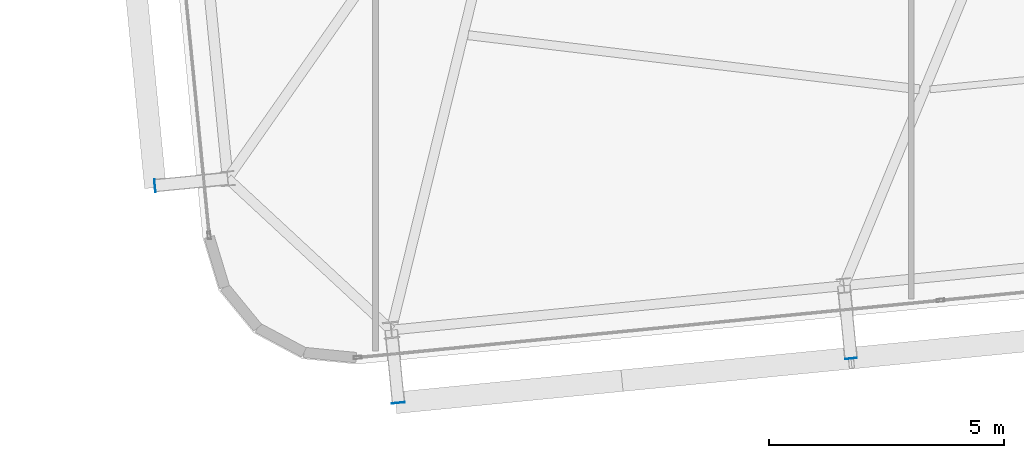
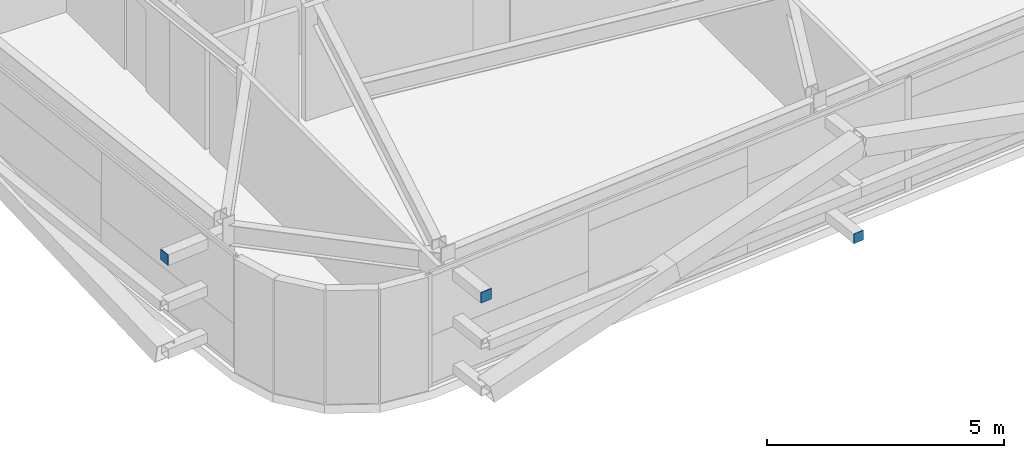
# One storey, part 33 of 47: 3 plates.
"""IFC4 building model written with IfcOpenShell, lengths in metres."""

import ifcopenshell
import ifcopenshell.guid

model = None  # the IFC model being written
_history = None  # IfcOwnerHistory: only IFC2X3 demands one
_inside = {}  # id of a spatial element -> (the spatial element, [elements in it])
_under = {}  # id of a project, library or spatial element -> (it, [spatial elements below it])
_declared = {}  # id of a project -> (the project, [libraries it declares])
_typed = {}  # id of a type object -> (the type object, [elements of that type])
_made_of = {}  # id of a material, layer set ... -> (it, [elements and type objects made of it])


def new_model(schema):
    """Start an empty IFC model of exactly this schema.

    Asked for "IFC4X3", IfcOpenShell would pick the latest addendum, in which some entities
    have other attributes; the version numbers below select the first issue.
    IFC2X3 requires an IfcOwnerHistory on every rooted entity: one is made here for all.
    """
    global model, _history
    if schema == "IFC4X3":
        model = ifcopenshell.file(schema_version=(4, 3, 0, 0))
    else:
        model = ifcopenshell.file(schema=schema)
    _inside.clear()
    _under.clear()
    _declared.clear()
    _typed.clear()
    _made_of.clear()
    _history = None
    if model.schema == "IFC2X3":
        org = make("IfcOrganization", Name="unknown")
        user = make(
            "IfcPersonAndOrganization",
            ThePerson=make("IfcPerson", FamilyName="unknown"),
            TheOrganization=org,
        )
        app = make(
            "IfcApplication",
            ApplicationDeveloper=org,
            Version="unknown",
            ApplicationFullName="unknown",
            ApplicationIdentifier="unknown",
        )
        _history = make(
            "IfcOwnerHistory",
            OwningUser=user,
            OwningApplication=app,
            ChangeAction="ADDED",
            CreationDate=0,
        )
    return model


def make(cls, **values):
    """One entity of the class cls with the attributes given. An attribute that is None is left unset."""
    return model.create_entity(
        cls, **{name: value for name, value in values.items() if value is not None}
    )


def rooted(cls, **values):
    """An entity with a GlobalId (a new one), such as an element, a storey or a relation."""
    return make(cls, GlobalId=ifcopenshell.guid.new(), OwnerHistory=_history, **values)


def si_unit(unit_type, name, prefix=None):
    """IfcSIUnit, for example si_unit("LENGTHUNIT", "METRE", prefix="MILLI")."""
    return make("IfcSIUnit", UnitType=unit_type, Prefix=prefix, Name=name)


def assignment(units):
    """IfcUnitAssignment: the units of a project."""
    return None if units is None else make("IfcUnitAssignment", Units=units)


def point(xyz):
    """IfcCartesianPoint."""
    return None if xyz is None else make("IfcCartesianPoint", Coordinates=xyz)


def direction(xyz):
    """IfcDirection."""
    return None if xyz is None else make("IfcDirection", DirectionRatios=xyz)


def frame(location, z_axis=None, x_axis=None):
    """IfcAxis2Placement3D, a coordinate frame: its origin and axes. An axis left out is left unset."""
    return make(
        "IfcAxis2Placement3D",
        Location=point(location),
        Axis=direction(z_axis),
        RefDirection=direction(x_axis),
    )


def frame_2d(location, x_axis=None):
    """IfcAxis2Placement2D, a coordinate frame in the plane: its origin and x axis."""
    return make(
        "IfcAxis2Placement2D", Location=point(location), RefDirection=direction(x_axis)
    )


def origin():
    """The frame at (0, 0, 0) with its axes left unset."""
    return frame((0.0, 0.0, 0.0))


def origin_2d():
    """The frame at (0, 0) in the plane with its x axis left unset."""
    return frame_2d((0.0, 0.0))


def place(relative_to, where):
    """IfcLocalPlacement: puts the frame where relative to a parent placement (None: the world)."""
    return make(
        "IfcLocalPlacement", PlacementRelTo=relative_to, RelativePlacement=where
    )


def context(
    kind, dimensions, precision=None, world=None, true_north=None, identifier=None
):
    """IfcGeometricRepresentationContext, for example the 3D "Model" context."""
    return make(
        "IfcGeometricRepresentationContext",
        ContextIdentifier=identifier,
        ContextType=kind,
        CoordinateSpaceDimension=dimensions,
        Precision=precision,
        WorldCoordinateSystem=world,
        TrueNorth=true_north,
    )


def subcontext(parent, identifier, kind, view, scale=None):
    """IfcGeometricRepresentationSubContext, for example "Body" below "Model"."""
    return make(
        "IfcGeometricRepresentationSubContext",
        ContextIdentifier=identifier,
        ContextType=kind,
        ParentContext=parent,
        TargetScale=scale,
        TargetView=view,
    )


def project(units=None, contexts=None):
    """IfcProject with its units and contexts."""
    return rooted(
        "IfcProject",
        Name="project",
        RepresentationContexts=contexts,
        UnitsInContext=assignment(units),
    )


def spatial(cls, under=None, at=None, **own):
    """A site, building, storey or space (cls), placed at a placement, below another one or the project."""
    s = rooted(cls, ObjectPlacement=at, **own)
    if under is not None:
        _under.setdefault(under.id(), (under, []))[1].append(s)
    return s


def profile(cls, at=None, kind="AREA", **sizes):
    """A parametric profile (cls). Its sizes go by their IFC names, for example OverallWidth=200.0."""
    return make(cls, ProfileType=kind, Position=at, **sizes)


def rectangle(**sizes):
    """IfcRectangleProfileDef."""
    return profile("IfcRectangleProfileDef", **sizes)


def extrude(swept, where, along, depth):
    """IfcExtrudedAreaSolid: the profile swept, set in the frame where, extruded along a direction by depth."""
    return make(
        "IfcExtrudedAreaSolid",
        SweptArea=swept,
        Position=where,
        ExtrudedDirection=direction(along),
        Depth=depth,
    )


def shape(context_of_items, identifier, shape_type, items):
    """IfcShapeRepresentation: the items that make up one representation, for example the "Body"."""
    return make(
        "IfcShapeRepresentation",
        ContextOfItems=context_of_items,
        RepresentationIdentifier=identifier,
        RepresentationType=shape_type,
        Items=items,
    )


def source(mapping_origin, context_of_items, identifier, shape_type, items):
    """IfcRepresentationMap: a shape defined once, which mapped items show again and again."""
    return make(
        "IfcRepresentationMap",
        MappingOrigin=mapping_origin,
        MappedRepresentation=shape(context_of_items, identifier, shape_type, items),
    )


def transform(
    local_origin,
    x_axis=None,
    y_axis=None,
    z_axis=None,
    scale=None,
    scale2=None,
    scale3=None,
    uniform=True,
):
    """IfcCartesianTransformationOperator3D, or its non-uniform kind. x_axis, y_axis, z_axis: its Axis1, 2, 3."""
    if uniform:
        return make(
            "IfcCartesianTransformationOperator3D",
            Axis1=direction(x_axis),
            Axis2=direction(y_axis),
            LocalOrigin=point(local_origin),
            Scale=scale,
            Axis3=direction(z_axis),
        )
    return make(
        "IfcCartesianTransformationOperator3DnonUniform",
        Axis1=direction(x_axis),
        Axis2=direction(y_axis),
        LocalOrigin=point(local_origin),
        Scale=scale,
        Axis3=direction(z_axis),
        Scale2=scale2,
        Scale3=scale3,
    )


def mapped(mapping_source, mapping_target):
    """IfcMappedItem: shows the shape of a source again, moved by a transform."""
    return make(
        "IfcMappedItem", MappingSource=mapping_source, MappingTarget=mapping_target
    )


def material(Name=None, Category=None):
    """IfcMaterial."""
    return make("IfcMaterial", Name=Name, Category=Category)


def layer(
    of_material, thickness, ventilated=None, Name=None, Category=None, Priority=None
):
    """IfcMaterialLayer: one layer of a wall or slab, of a material (None: an air gap)."""
    return make(
        "IfcMaterialLayer",
        Material=of_material,
        LayerThickness=thickness,
        IsVentilated=ventilated,
        Name=Name,
        Category=Category,
        Priority=Priority,
    )


def layer_set(layers, Name=None):
    """IfcMaterialLayerSet."""
    return make("IfcMaterialLayerSet", MaterialLayers=layers, LayerSetName=Name)


def made_of(thing, what):
    """Note that an element or type object is made of a material, layer set ...; save() writes the relation."""
    if what is not None:
        _made_of.setdefault(what.id(), (what, []))[1].append(thing)
    return thing


def type_object(cls, material=None, **own):
    """A type object (cls), such as IfcWallType, which elements share."""
    return made_of(rooted(cls, **own), material)


def element(
    cls,
    number,
    at=None,
    inside=None,
    cuts=None,
    type_object=None,
    material=None,
    context=None,
    identifier="Body",
    shape_type=None,
    held_by="IfcProductDefinitionShape",
    body=None,
    shapes=None,
    **own,
):
    """One element of the class cls, such as IfcWall. Its Tag is "e" and its number.

    at: its placement. inside: the storey or other place that contains it. cuts: it is an
    opening in that element (IfcRelVoidsElement). A single representation is given by context,
    identifier, shape_type and body (its items); several are given by shapes. held_by: the class
    of the entity that holds the representations. save() writes the other relations.
    """
    e = rooted(cls, Tag="e%d" % number, ObjectPlacement=at, **own)
    if body is not None:
        shapes = [shape(context, identifier, shape_type, body)]
    if shapes is not None:
        e.Representation = make(held_by, Representations=shapes)
    if inside is not None:
        _inside.setdefault(inside.id(), (inside, []))[1].append(e)
    if cuts is not None:
        rooted(
            "IfcRelVoidsElement", RelatingBuildingElement=cuts, RelatedOpeningElement=e
        )
    if type_object is not None:
        _typed.setdefault(type_object.id(), (type_object, []))[1].append(e)
    return made_of(e, material)


def aggregate(whole, parts):
    """IfcRelAggregates: a whole, such as a stair, and the parts it consists of."""
    return rooted("IfcRelAggregates", RelatingObject=whole, RelatedObjects=parts)


def save(model, path):
    """Write the relations noted so far, then the file.

    IfcRelAggregates (storeys below a building ...), IfcRelContainedInSpatialStructure (elements
    in a storey), IfcRelDefinesByType, IfcRelAssociatesMaterial and IfcRelDeclares: one each for
    every whole, place, type object, material and project.
    """
    for whole, parts in _under.values():
        aggregate(whole, parts)
    for where, things in _inside.values():
        rooted(
            "IfcRelContainedInSpatialStructure",
            RelatedElements=things,
            RelatingStructure=where,
        )
    for kind, things in _typed.values():
        rooted("IfcRelDefinesByType", RelatedObjects=things, RelatingType=kind)
    for what, things in _made_of.values():
        rooted("IfcRelAssociatesMaterial", RelatedObjects=things, RelatingMaterial=what)
    for by, libraries in _declared.values():
        rooted("IfcRelDeclares", RelatingContext=by, RelatedDefinitions=libraries)
    model.write(path)


model = new_model("IFC4")

# Units and contexts
model_context = context("Model", 3, precision=1e-05, world=origin(), true_north=direction((0.0, 1.0)))
body_context = subcontext(model_context, "Body", "Model", "MODEL_VIEW")
ifc_project = project(units=[si_unit("LENGTHUNIT", "METRE"), si_unit("AREAUNIT", "SQUARE_METRE"), si_unit("VOLUMEUNIT", "CUBIC_METRE"), si_unit("PLANEANGLEUNIT", "RADIAN"), si_unit("MASSUNIT", "GRAM", prefix="KILO")], contexts=[model_context])

# Site, building, storey
site_placement = place(None, origin())
site = spatial("IfcSite", under=ifc_project, at=site_placement, CompositionType="ELEMENT")
building_placement = place(site_placement, origin())
building = spatial("IfcBuilding", under=site, at=building_placement, Name="Taldren Reach Tower", CompositionType="ELEMENT")
storey_placement = place(building_placement, frame((0.0, 0.0, 87.14990234375)))
storey = spatial("IfcBuildingStorey", under=building, at=storey_placement, Name="L26", CompositionType="ELEMENT", Elevation=87.14990234375)

# Plates
ifc_material_1 = material(Name="Steel Gr 450 (C450L0)", Category="steel")
ifc_layer_1 = layer(ifc_material_1, 0.011962890625)
ifc_layer_set_1 = layer_set([ifc_layer_1], Name="Steel Gr 450 (C450L0)")
plate_type_1 = type_object("IfcPlateType", Name="PL-CAP-275", PredefinedType="SHEET", material=ifc_layer_set_1)
shared_shape_1 = source(origin(), body_context, "Body", "SweptSolid", [
    extrude(rectangle(XDim=0.27490234375, YDim=0.011962890625, at=origin_2d()), origin(), (0.0, 0.0, 1.0), 0.27490234375),
])
plate_1_placement = place(storey_placement, frame((15.0859375, -1.62841796875, 2.5126953125), z_axis=(0.0, 0.0, 1.0), x_axis=(0.995227399982, 0.097582899759, 0.0)))
element("IfcPlate", 1, at=plate_1_placement, inside=storey, type_object=plate_type_1, Name="Tie strut end cap plate B2-S1 L26", PredefinedType="SHEET", context=body_context, shape_type="MappedRepresentation", body=[
    mapped(shared_shape_1, transform((0.0, 0.0, 0.0), scale=1.0)),
])
shared_shape_2 = source(origin(), body_context, "Body", "SweptSolid", [
    extrude(rectangle(XDim=0.011962890625, YDim=0.27490234375, at=origin_2d()), origin(), (0.0, 0.0, 1.0), 0.27490234375),
])
plate_2_placement = place(storey_placement, frame((9.904296875, 2.993896484375, 2.5126953125), z_axis=(0.0, 0.0, 1.0), x_axis=(0.995227399982, 0.097582899759, 0.0)))
element("IfcPlate", 2, at=plate_2_placement, inside=storey, type_object=plate_type_1, Name="Tie strut end cap plate B2-W1 L26", PredefinedType="SHEET", context=body_context, shape_type="MappedRepresentation", body=[
    mapped(shared_shape_2, transform((0.0, 0.0, 0.0), scale=1.0)),
])
ifc_material_2 = material(Name="Steel Gr 350 (C350L0)", Category="steel")
ifc_layer_2 = layer(ifc_material_2, 0.011962890625)
ifc_layer_set_2 = layer_set([ifc_layer_2], Name="Steel Gr 350 (C350L0)")
plate_type_2 = type_object("IfcPlateType", Name="PL-CAP-250", PredefinedType="SHEET", material=ifc_layer_set_2)
shared_shape_3 = source(origin(), body_context, "Body", "SweptSolid", [
    extrude(rectangle(XDim=0.25, YDim=0.011962890625, at=origin_2d()), origin(), (0.0, 0.0, 1.0), 0.25),
])
plate_3_placement = place(storey_placement, frame((24.7197265625, -0.683837890625, 0.09521484375), z_axis=(0.0, 0.0, 1.0), x_axis=(0.995227399982, 0.097582899759, 0.0)))
element("IfcPlate", 3, at=plate_3_placement, inside=storey, type_object=plate_type_2, Name="Tie strut end cap plate B2-S2 L26", PredefinedType="SHEET", context=body_context, shape_type="MappedRepresentation", body=[
    mapped(shared_shape_3, transform((0.0, 0.0, 0.0), scale=1.0)),
])

save(model, "model.ifc")
